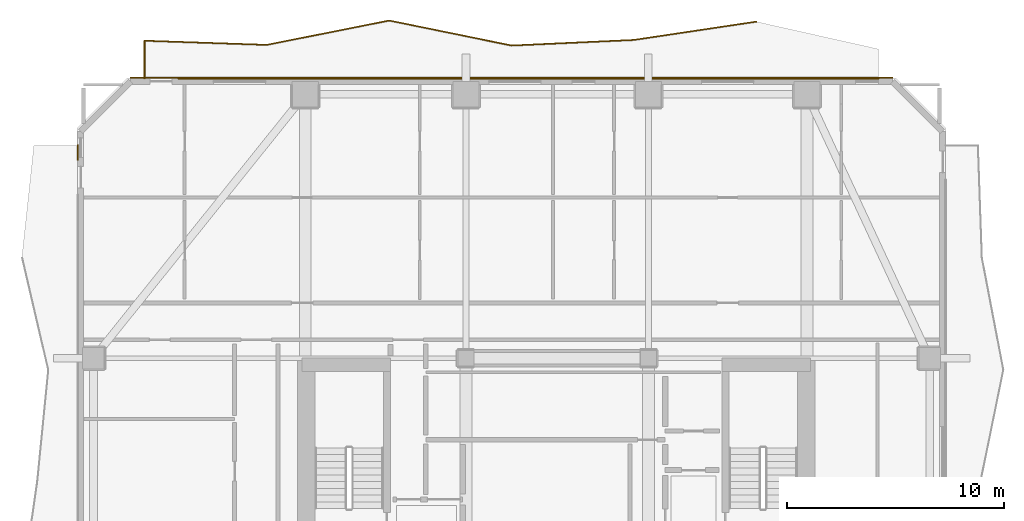
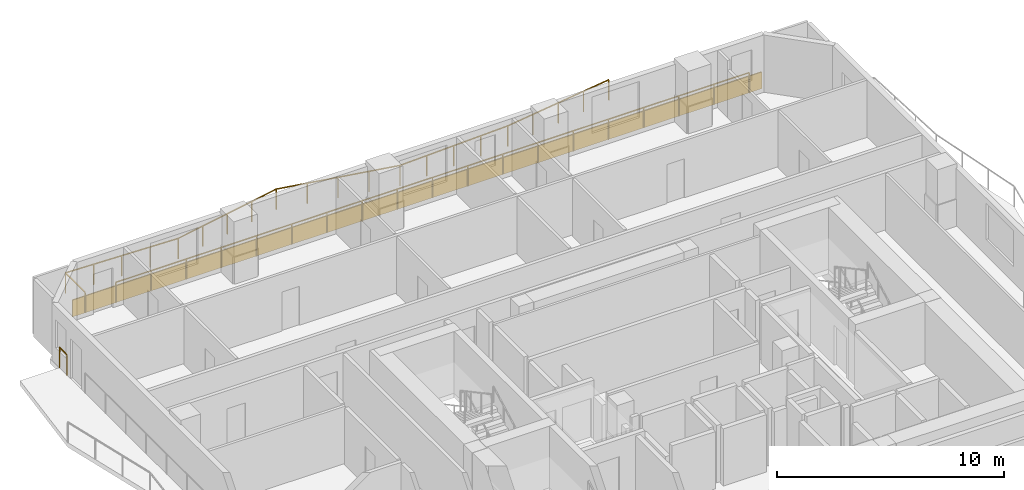
# One storey, part 10 of 10: 3 railings, 1 covering.
"""IFC4 building model written with IfcOpenShell, lengths in metres."""

from ifc_helpers import new_model, si_unit, direction, frame, frame_2d, origin, origin_2d, place, context, subcontext, project, spatial, rectangle, extrude, material, layer, layer_set, type_object, element, save


model = new_model("IFC4")

# Units and contexts
model_context = context("Model", 3, precision=1e-05, world=origin(), true_north=direction((0.0, 1.0)))
body_context = subcontext(model_context, "Body", "Model", "MODEL_VIEW")
ifc_project = project(units=[si_unit("LENGTHUNIT", "METRE"), si_unit("AREAUNIT", "SQUARE_METRE"), si_unit("VOLUMEUNIT", "CUBIC_METRE"), si_unit("PLANEANGLEUNIT", "RADIAN"), si_unit("MASSUNIT", "GRAM", prefix="KILO")], contexts=[model_context])

# Site, building, storey
site_placement = place(None, origin())
site = spatial("IfcSite", under=ifc_project, at=site_placement, CompositionType="ELEMENT")
building_placement = place(site_placement, origin())
building = spatial("IfcBuilding", under=site, at=building_placement, Name="Solanera Arch Residences", CompositionType="ELEMENT")
storey_placement = place(building_placement, frame((0.0, 0.0, 176.8798828125)))
storey = spatial("IfcBuildingStorey", under=building, at=storey_placement, Name="L51", CompositionType="ELEMENT", Elevation=176.8798828125)

# Railings
ifc_material_1 = material(Name="Steel S355 (ASTM A992 / A572 Grade 50)", Category="steel")
railing_type = type_object("IfcRailingType", Name="Balustrade Railing BL-1100", PredefinedType="BALUSTRADE", material=ifc_material_1)
railing_1_placement = place(storey_placement, frame((34.1669921875, 54.89892578125, 0.0)))
element("IfcRailing", 1, at=railing_1_placement, inside=storey, type_object=railing_type, Name="L51 N Balcony Balustrade 1", PredefinedType="BALUSTRADE", context=body_context, shape_type="SweptSolid", body=[
    extrude(rectangle(XDim=0.048095703125, YDim=0.048095703125, at=origin_2d()), frame((0.0, 0.0, 1.09619140625), z_axis=(-0.988990041425, -0.147982086625, 0.0), x_axis=(0.147982086625, -0.988990041425, 0.0)), (0.0, 0.0, 1.0), 5.69677734375),
    extrude(rectangle(XDim=0.048095703125, YDim=0.048095703125, at=origin_2d()), frame((-5.634033203125, -0.843017578125, 1.09619140625), z_axis=(-0.998970057246, -0.045374273826, 0.0), x_axis=(0.045374273826, -0.998970057246, 0.0)), (0.0, 0.0, 1.0), 5.638916015625),
    extrude(rectangle(XDim=0.048095703125, YDim=0.048095703125, at=origin_2d()), frame((-11.26708984375, -1.098876953125, 1.09619140625), z_axis=(-0.979792171122, 0.200018252687, 0.0), x_axis=(-0.200018252687, -0.979792171122, 0.0)), (0.0, 0.0, 1.0), 5.7490234375),
    extrude(rectangle(XDim=0.048095703125, YDim=0.048095703125, at=origin_2d()), frame((-16.89990234375, 0.051025390625, 1.09619140625), z_axis=(-0.980812113588, -0.194955373967, 0.0), x_axis=(0.194955373967, -0.980812113588, 0.0)), (0.0, 0.0, 1.0), 5.744140625),
    extrude(rectangle(XDim=0.048095703125, YDim=0.048095703125, at=origin_2d()), frame((-22.533935546875, -1.06884765625, 1.09619140625), z_axis=(-0.99942614599, 0.033872979074, 0.0), x_axis=(-0.033872979074, -0.99942614599, 0.0)), (0.0, 0.0, 1.0), 5.63623046875),
    extrude(rectangle(XDim=0.048095703125, YDim=0.048095703125, at=origin_2d()), frame((-28.1669921875, -0.8779296875, 1.09619140625), z_axis=(0.0, -1.0, 0.0), x_axis=(1.0, 0.0, 0.0)), (0.0, 0.0, 1.0), 1.740966796875),
    extrude(rectangle(XDim=0.0419921875, YDim=0.0419921875, at=origin_2d()), origin(), (0.0, 0.0, 1.0), 1.072021484375),
    extrude(rectangle(XDim=0.0419921875, YDim=0.0419921875, at=origin_2d()), frame((-1.408447265625, -0.210693359375, 0.0)), (0.0, 0.0, 1.0), 1.072021484375),
    extrude(rectangle(XDim=0.0419921875, YDim=0.0419921875, at=origin_2d()), frame((-2.81689453125, -0.42138671875, 0.0)), (0.0, 0.0, 1.0), 1.072021484375),
    extrude(rectangle(XDim=0.0419921875, YDim=0.0419921875, at=origin_2d()), frame((-4.2255859375, -0.63232421875, 0.0)), (0.0, 0.0, 1.0), 1.072021484375),
    extrude(rectangle(XDim=0.0419921875, YDim=0.0419921875, at=origin_2d()), frame((-5.634033203125, -0.843017578125, 0.0)), (0.0, 0.0, 1.0), 1.072021484375),
    extrude(rectangle(XDim=0.0419921875, YDim=0.0419921875, at=origin_2d()), frame((-7.042236328125, -0.906982421875, 0.0)), (0.0, 0.0, 1.0), 1.072021484375),
    extrude(rectangle(XDim=0.0419921875, YDim=0.0419921875, at=origin_2d()), frame((-8.45068359375, -0.970947265625, 0.0)), (0.0, 0.0, 1.0), 1.072021484375),
    extrude(rectangle(XDim=0.0419921875, YDim=0.0419921875, at=origin_2d()), frame((-9.85888671875, -1.034912109375, 0.0)), (0.0, 0.0, 1.0), 1.072021484375),
    extrude(rectangle(XDim=0.0419921875, YDim=0.0419921875, at=origin_2d()), frame((-11.26708984375, -1.098876953125, 0.0)), (0.0, 0.0, 1.0), 1.072021484375),
    extrude(rectangle(XDim=0.0419921875, YDim=0.0419921875, at=origin_2d()), frame((-12.67529296875, -0.8115234375, 0.0)), (0.0, 0.0, 1.0), 1.072021484375),
    extrude(rectangle(XDim=0.0419921875, YDim=0.0419921875, at=origin_2d()), frame((-14.08349609375, -0.52392578125, 0.0)), (0.0, 0.0, 1.0), 1.072021484375),
    extrude(rectangle(XDim=0.0419921875, YDim=0.0419921875, at=origin_2d()), frame((-15.49169921875, -0.236328125, 0.0)), (0.0, 0.0, 1.0), 1.072021484375),
    extrude(rectangle(XDim=0.0419921875, YDim=0.0419921875, at=origin_2d()), frame((-16.89990234375, 0.051025390625, 0.0)), (0.0, 0.0, 1.0), 1.072021484375),
    extrude(rectangle(XDim=0.0419921875, YDim=0.0419921875, at=origin_2d()), frame((-18.308349609375, -0.22900390625, 0.0)), (0.0, 0.0, 1.0), 1.072021484375),
    extrude(rectangle(XDim=0.0419921875, YDim=0.0419921875, at=origin_2d()), frame((-19.716796875, -0.5087890625, 0.0)), (0.0, 0.0, 1.0), 1.072021484375),
    extrude(rectangle(XDim=0.0419921875, YDim=0.0419921875, at=origin_2d()), frame((-21.12548828125, -0.788818359375, 0.0)), (0.0, 0.0, 1.0), 1.072021484375),
    extrude(rectangle(XDim=0.0419921875, YDim=0.0419921875, at=origin_2d()), frame((-22.533935546875, -1.06884765625, 0.0)), (0.0, 0.0, 1.0), 1.072021484375),
    extrude(rectangle(XDim=0.0419921875, YDim=0.0419921875, at=origin_2d()), frame((-23.942138671875, -1.02099609375, 0.0)), (0.0, 0.0, 1.0), 1.072021484375),
    extrude(rectangle(XDim=0.0419921875, YDim=0.0419921875, at=origin_2d()), frame((-25.3505859375, -0.973388671875, 0.0)), (0.0, 0.0, 1.0), 1.072021484375),
    extrude(rectangle(XDim=0.0419921875, YDim=0.0419921875, at=origin_2d()), frame((-26.7587890625, -0.92578125, 0.0)), (0.0, 0.0, 1.0), 1.072021484375),
    extrude(rectangle(XDim=0.0419921875, YDim=0.0419921875, at=origin_2d()), frame((-28.1669921875, -0.8779296875, 0.0)), (0.0, 0.0, 1.0), 1.072021484375),
    extrude(rectangle(XDim=0.0419921875, YDim=0.0419921875, at=origin_2d()), frame((-28.1669921875, -2.618896484375, 0.0)), (0.0, 0.0, 1.0), 1.072021484375),
])
railing_2_placement = place(storey_placement, frame((7.55908203125, 52.280029296875, 0.0)))
element("IfcRailing", 2, at=railing_2_placement, inside=storey, type_object=railing_type, Name="L51 N Balcony Balustrade 2", PredefinedType="BALUSTRADE", context=body_context, shape_type="SweptSolid", body=[
    extrude(rectangle(XDim=0.048095703125, YDim=0.048095703125, at=origin_2d()), frame((0.0, 0.0, 1.09619140625), z_axis=(1.0, 0.0, 0.0), x_axis=(0.0, 1.0, 0.0)), (0.0, 0.0, 1.0), 32.240966796875),
    extrude(rectangle(XDim=0.0419921875, YDim=0.0419921875, at=origin_2d()), origin(), (0.0, 0.0, 1.0), 1.072021484375),
    extrude(rectangle(XDim=0.0419921875, YDim=0.0419921875, at=origin_2d()), frame((1.791259765625, 0.0, 0.0)), (0.0, 0.0, 1.0), 1.072021484375),
    extrude(rectangle(XDim=0.0419921875, YDim=0.0419921875, at=origin_2d()), frame((3.582275390625, 0.0, 0.0)), (0.0, 0.0, 1.0), 1.072021484375),
    extrude(rectangle(XDim=0.0419921875, YDim=0.0419921875, at=origin_2d()), frame((5.37353515625, 0.0, 0.0)), (0.0, 0.0, 1.0), 1.072021484375),
    extrude(rectangle(XDim=0.0419921875, YDim=0.0419921875, at=origin_2d()), frame((7.16455078125, 0.0, 0.0)), (0.0, 0.0, 1.0), 1.072021484375),
    extrude(rectangle(XDim=0.0419921875, YDim=0.0419921875, at=origin_2d()), frame((8.955810546875, 0.0, 0.0)), (0.0, 0.0, 1.0), 1.072021484375),
    extrude(rectangle(XDim=0.0419921875, YDim=0.0419921875, at=origin_2d()), frame((10.7470703125, 0.0, 0.0)), (0.0, 0.0, 1.0), 1.072021484375),
    extrude(rectangle(XDim=0.0419921875, YDim=0.0419921875, at=origin_2d()), frame((12.5380859375, 0.0, 0.0)), (0.0, 0.0, 1.0), 1.072021484375),
    extrude(rectangle(XDim=0.0419921875, YDim=0.0419921875, at=origin_2d()), frame((14.329345703125, 0.0, 0.0)), (0.0, 0.0, 1.0), 1.072021484375),
    extrude(rectangle(XDim=0.0419921875, YDim=0.0419921875, at=origin_2d()), frame((16.12060546875, 0.0, 0.0)), (0.0, 0.0, 1.0), 1.072021484375),
    extrude(rectangle(XDim=0.0419921875, YDim=0.0419921875, at=origin_2d()), frame((17.91162109375, 0.0, 0.0)), (0.0, 0.0, 1.0), 1.072021484375),
    extrude(rectangle(XDim=0.0419921875, YDim=0.0419921875, at=origin_2d()), frame((19.702880859375, 0.0, 0.0)), (0.0, 0.0, 1.0), 1.072021484375),
    extrude(rectangle(XDim=0.0419921875, YDim=0.0419921875, at=origin_2d()), frame((21.493896484375, 0.0, 0.0)), (0.0, 0.0, 1.0), 1.072021484375),
    extrude(rectangle(XDim=0.0419921875, YDim=0.0419921875, at=origin_2d()), frame((23.28515625, 0.0, 0.0)), (0.0, 0.0, 1.0), 1.072021484375),
    extrude(rectangle(XDim=0.0419921875, YDim=0.0419921875, at=origin_2d()), frame((25.076416015625, 0.0, 0.0)), (0.0, 0.0, 1.0), 1.072021484375),
    extrude(rectangle(XDim=0.0419921875, YDim=0.0419921875, at=origin_2d()), frame((26.867431640625, 0.0, 0.0)), (0.0, 0.0, 1.0), 1.072021484375),
    extrude(rectangle(XDim=0.0419921875, YDim=0.0419921875, at=origin_2d()), frame((28.65869140625, 0.0, 0.0)), (0.0, 0.0, 1.0), 1.072021484375),
    extrude(rectangle(XDim=0.0419921875, YDim=0.0419921875, at=origin_2d()), frame((30.44970703125, 0.0, 0.0)), (0.0, 0.0, 1.0), 1.072021484375),
    extrude(rectangle(XDim=0.0419921875, YDim=0.0419921875, at=origin_2d()), frame((32.240966796875, 0.0, 0.0)), (0.0, 0.0, 1.0), 1.072021484375),
])
railing_3_placement = place(storey_placement, frame((2.919921875, 48.5390625, 0.0)))
element("IfcRailing", 3, at=railing_3_placement, inside=storey, type_object=railing_type, Name="L51 W Balcony Balustrade 2", PredefinedType="BALUSTRADE", context=body_context, shape_type="SweptSolid", body=[
    extrude(rectangle(XDim=0.048095703125, YDim=0.048095703125, at=origin_2d()), frame((0.0, 0.0, 1.09619140625), z_axis=(0.0, 1.0, 0.0), x_axis=(-1.0, 0.0, 0.0)), (0.0, 0.0, 1.0), 0.660888671875),
    extrude(rectangle(XDim=0.0419921875, YDim=0.0419921875, at=origin_2d()), origin(), (0.0, 0.0, 1.0), 1.072021484375),
    extrude(rectangle(XDim=0.0419921875, YDim=0.0419921875, at=origin_2d()), frame((0.0, 0.660888671875, 0.0)), (0.0, 0.0, 1.0), 1.072021484375),
])

# Covering
ifc_material_2 = material(Name="Philippine Adobe Travertine Cladding", Category="masonry")
ifc_layer = layer(ifc_material_2, 0.06005859375)
ifc_layer_set = layer_set([ifc_layer], Name="Philippine Adobe Travertine Cladding")
covering_type = type_object("IfcCoveringType", Name="Precast Pier Stone Cladding CLD-60", PredefinedType="CLADDING", material=ifc_layer_set)
covering_placement = place(storey_placement, frame((5.35498046875, 52.31494140625, 0.0), z_axis=(0.0, 0.0, 1.0), x_axis=(1.0, 0.0, 0.0)))
element("IfcCovering", 4, at=covering_placement, inside=storey, type_object=covering_type, Name="L51 N Precast Spandrel Stone Band", PredefinedType="CLADDING", context=body_context, shape_type="SweptSolid", body=[
    extrude(rectangle(XDim=35.090087890625, YDim=0.06005859375, at=frame_2d((17.544921875, 0.0))), origin(), (0.0, 0.0, 1.0), 0.900146484375),
])

save(model, "model.ifc")
